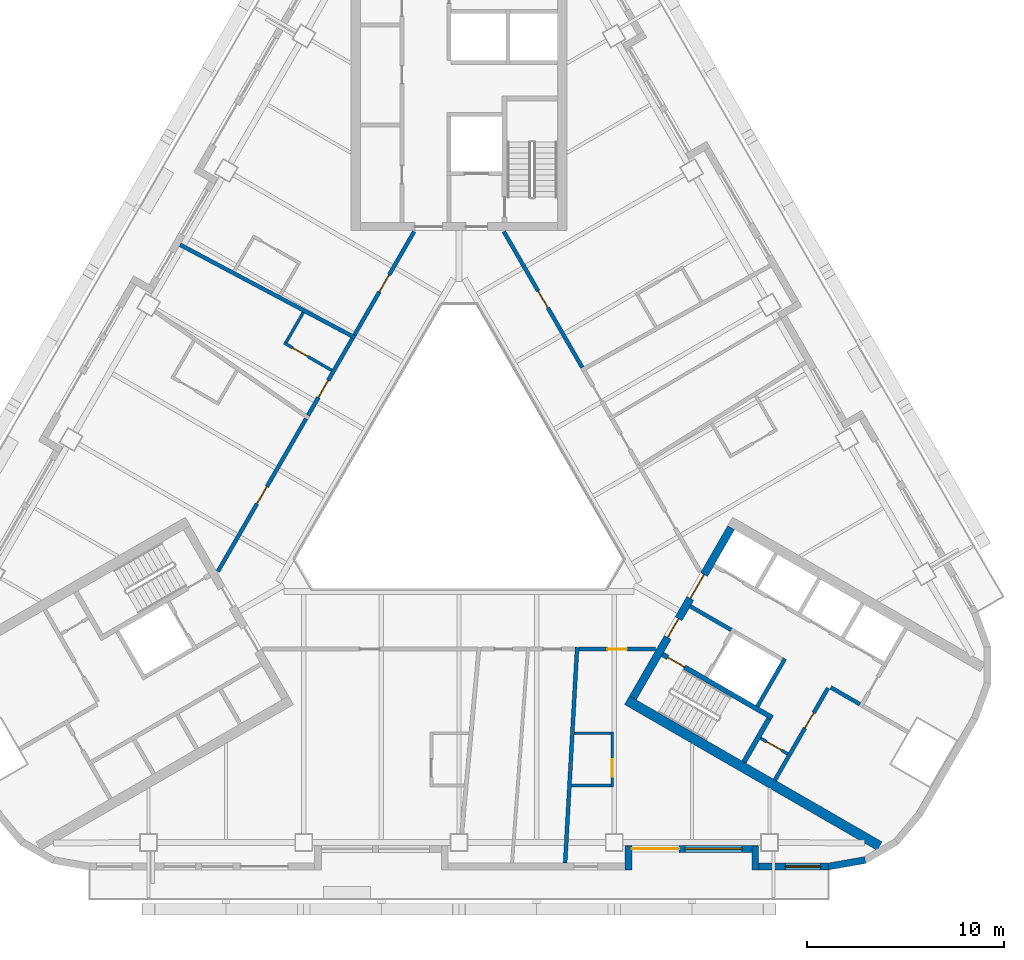
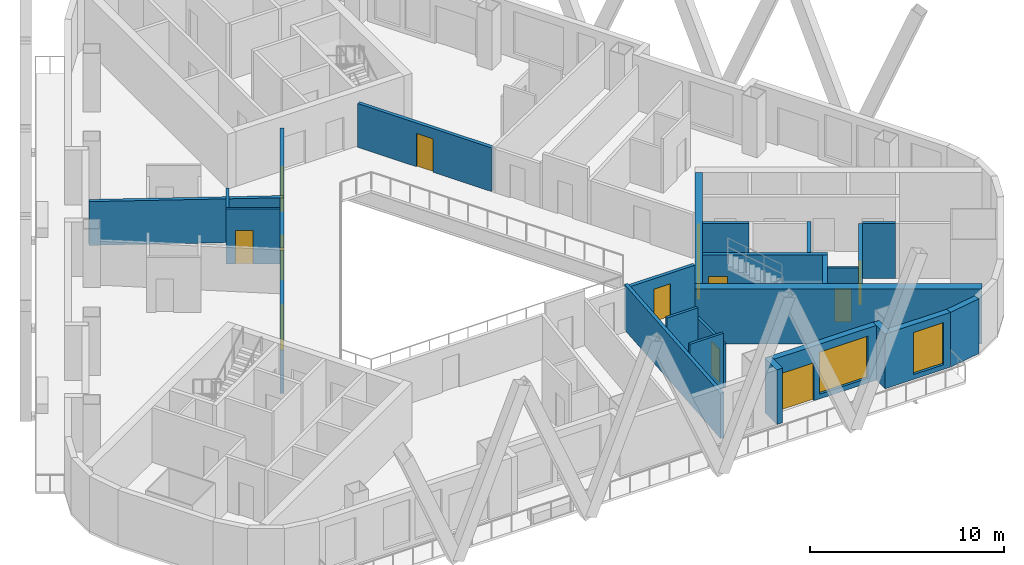
# One storey, part 4 of 13: 26 walls, 13 doors, 2 windows, 15 openings.
"""IFC4 building model written with IfcOpenShell, lengths in metres."""

from ifc_helpers import new_model, si_unit, direction, frame, frame_2d, origin, place, context, subcontext, project, spatial, rectangle, extrude, material, layer, layer_set, type_object, element, fill, save


model = new_model("IFC4")

# Units and contexts
model_context = context("Model", 3, precision=1e-05, world=origin(), true_north=direction((0.0, 1.0)))
body_context = subcontext(model_context, "Body", "Model", "MODEL_VIEW")
ifc_project = project(units=[si_unit("LENGTHUNIT", "METRE"), si_unit("AREAUNIT", "SQUARE_METRE"), si_unit("VOLUMEUNIT", "CUBIC_METRE"), si_unit("PLANEANGLEUNIT", "RADIAN"), si_unit("MASSUNIT", "GRAM", prefix="KILO")], contexts=[model_context])

# Site, building, storey
site_placement = place(None, origin())
site = spatial("IfcSite", under=ifc_project, at=site_placement, CompositionType="ELEMENT")
building_placement = place(site_placement, origin())
building = spatial("IfcBuilding", under=site, at=building_placement, Name="Apuvela Tower Hotel", CompositionType="ELEMENT")
storey_placement = place(building_placement, frame((0.0, 0.0, 127.89990234375)))
storey = spatial("IfcBuildingStorey", under=building, at=storey_placement, Name="L30", CompositionType="ELEMENT", Elevation=127.89990234375)

# Wall, openings, doors
ifc_material_1 = material(Name="Concrete C50/60", Category="concrete")
ifc_layer_1 = layer(ifc_material_1, 0.39990234375)
ifc_layer_set_1 = layer_set([ifc_layer_1], Name="COR-WALL-CORE-400")
wall_type_1 = type_object("IfcWallType", Name="COR-WALL-CORE-400", PredefinedType="SHEAR", material=ifc_layer_set_1)
wall_1_placement = place(storey_placement, frame((8.844970703125, -10.880126953125, 0.0), z_axis=(0.0, 0.0, 1.0), x_axis=(0.500004234368, 0.866022959057, 0.0)))
wall_1 = element("IfcWall", 1, at=wall_1_placement, inside=storey, type_object=wall_type_1, Name="Core wall SE", PredefinedType="SHEAR", context=body_context, shape_type="SweptSolid", body=[
    extrude(rectangle(XDim=10.0, YDim=0.39990234375, at=frame_2d((5.0, 0.0))), origin(), (0.0, 0.0, 1.0), 3.4501953125),
])
opening_1_placement = place(wall_1_placement, frame((3.550048828125, 0.0, 0.0)))
opening_1 = element("IfcOpeningElement", 2, at=opening_1_placement, cuts=wall_1, Name="Opening E-FD", PredefinedType="OPENING", context=body_context, shape_type="SweptSolid", body=[
    extrude(rectangle(XDim=1.10009765625, YDim=2.10009765625, at=frame_2d((0.550048828125, 1.050048828125))), frame((0.0, 0.2099609375, 0.0), z_axis=(0.0, -1.0, 0.0), x_axis=(1.0, 0.0, 0.0)), (0.0, 0.0, 1.0), 0.419921875),
])
opening_2_placement = place(wall_1_placement, frame((5.85009765625, 0.0, 0.0)))
opening_2 = element("IfcOpeningElement", 3, at=opening_2_placement, cuts=wall_1, Name="Opening E-GD", PredefinedType="OPENING", context=body_context, shape_type="SweptSolid", body=[
    extrude(rectangle(XDim=1.39990234375, YDim=2.10009765625, at=frame_2d((0.699951171875, 1.050048828125))), frame((0.0, 0.2099609375, 0.0), z_axis=(0.0, -1.0, 0.0), x_axis=(1.0, 0.0, 0.0)), (0.0, 0.0, 1.0), 0.419921875),
])
ifc_material_2 = material(Name="Steel fire door, powder coated", Category="steel")
door_type_1 = type_object("IfcDoorType", Name="COR-FD-1100", OperationType="NOTDEFINED", PredefinedType="DOOR", material=ifc_material_2)
door_1_placement = place(opening_1_placement, frame((1.10009765625, 0.0, 0.0), z_axis=(0.0, 0.0, 1.0), x_axis=(-1.0, 0.0, 0.0)))
door_1 = element("IfcDoor", 4, at=door_1_placement, inside=storey, type_object=door_type_1, Name="Firefighting lobby door E-FD", OperationType="SINGLE_SWING_LEFT", OverallHeight=2.10009765625, OverallWidth=1.10009765625, PredefinedType="DOOR", context=body_context, shape_type="SweptSolid", body=[
    extrude(rectangle(XDim=1.10009765625, YDim=2.10009765625, at=frame_2d((0.550048828125, 1.050048828125))), frame((0.0, 0.02490234375, 0.0), z_axis=(0.0, -1.0, 0.0), x_axis=(1.0, 0.0, 0.0)), (0.0, 0.0, 1.0), 0.050048828125),
])
fill(opening_1, door_1)
ifc_material_3 = material(Name="Glazed steel fire door", Category="steel")
door_type_2 = type_object("IfcDoorType", Name="COR-GD-1400", OperationType="DOUBLE_DOOR_SINGLE_SWING", PredefinedType="DOOR", material=ifc_material_3)
door_2_placement = place(opening_2_placement, frame((1.39990234375, 0.0, 0.0), z_axis=(0.0, 0.0, 1.0), x_axis=(-1.0, 0.0, 0.0)))
door_2 = element("IfcDoor", 5, at=door_2_placement, inside=storey, type_object=door_type_2, Name="Lift lobby door E-GD", OperationType="DOUBLE_DOOR_SINGLE_SWING", OverallHeight=2.10009765625, OverallWidth=1.39990234375, PredefinedType="DOOR", context=body_context, shape_type="SweptSolid", body=[
    extrude(rectangle(XDim=1.39990234375, YDim=2.10009765625, at=frame_2d((0.699951171875, 1.050048828125))), frame((0.0, 0.02490234375, 0.0), z_axis=(0.0, -1.0, 0.0), x_axis=(1.0, 0.0, 0.0)), (0.0, 0.0, 1.0), 0.050048828125),
])
fill(opening_2, door_2)

# Wall
ifc_layer_2 = layer(ifc_material_1, 0.5)
ifc_layer_set_2 = layer_set([ifc_layer_2], Name="COR-WALL-CORE-500")
wall_type_2 = type_object("IfcWallType", Name="COR-WALL-CORE-500", PredefinedType="SHEAR", material=ifc_layer_set_2)
wall_2_placement = place(storey_placement, frame((8.546630859375, -10.99658203125, 0.0), z_axis=(0.0, 0.0, 1.0), x_axis=(0.866025009528, -0.500000682871, 0.0)))
element("IfcWall", 6, at=wall_2_placement, inside=storey, type_object=wall_type_2, Name="Core wall SE", PredefinedType="SHEAR", context=body_context, shape_type="SweptSolid", body=[
    extrude(rectangle(XDim=14.8369140625, YDim=0.5, at=frame_2d((7.41845703125, 0.0))), origin(), (0.0, 0.0, 1.0), 3.4501953125),
])

# Wall, opening, door
ifc_material_4 = material(Name="Blockwork 150 mm plastered", Category="masonry")
ifc_layer_3 = layer(ifc_material_4, 0.14990234375)
ifc_layer_set_3 = layer_set([ifc_layer_3], Name="COR-WALL-PART-150")
wall_type_3 = type_object("IfcWallType", Name="COR-WALL-PART-150", PredefinedType="PARTITIONING", material=ifc_layer_set_3)
wall_3_placement = place(storey_placement, frame((15.341552734375, -12.927734375, 0.0), z_axis=(0.0, 0.0, 1.0), x_axis=(0.865989903783, -0.500061482766, 0.0)))
wall_3 = element("IfcWall", 7, at=wall_3_placement, inside=storey, type_object=wall_type_3, Name="Partition SE", PredefinedType="PARTITIONING", context=body_context, shape_type="SweptSolid", body=[
    extrude(rectangle(XDim=1.599853515625, YDim=0.14990234375, at=frame_2d((0.7998046875, 0.0))), origin(), (0.0, 0.0, 1.0), 3.4501953125),
])
opening_3_placement = place(wall_3_placement, frame((0.35009765625, 0.0, 0.0)))
opening_3 = element("IfcOpeningElement", 8, at=opening_3_placement, cuts=wall_3, Name="Opening E-RD", PredefinedType="OPENING", context=body_context, shape_type="SweptSolid", body=[
    extrude(rectangle(XDim=0.89990234375, YDim=2.10009765625, at=frame_2d((0.449951171875, 1.050048828125))), frame((0.0, 0.0849609375, 0.0), z_axis=(0.0, -1.0, 0.0), x_axis=(1.0, 0.0, 0.0)), (0.0, 0.0, 1.0), 0.169921875),
])
ifc_material_5 = material(Name="Steel access door, powder coated", Category="steel")
door_type_3 = type_object("IfcDoorType", Name="COR-RD-900", OperationType="NOTDEFINED", PredefinedType="DOOR", material=ifc_material_5)
door_3_placement = place(opening_3_placement, frame((0.89990234375, 0.0, 0.0), z_axis=(0.0, 0.0, 1.0), x_axis=(-1.0, 0.0, 0.0)))
door_3 = element("IfcDoor", 9, at=door_3_placement, inside=storey, type_object=door_type_3, Name="Riser door E-RD", OperationType="SINGLE_SWING_LEFT", OverallHeight=2.10009765625, OverallWidth=0.89990234375, PredefinedType="DOOR", context=body_context, shape_type="SweptSolid", body=[
    extrude(rectangle(XDim=0.89990234375, YDim=2.10009765625, at=frame_2d((0.449951171875, 1.050048828125))), frame((0.0, 0.02490234375, 0.0), z_axis=(0.0, -1.0, 0.0), x_axis=(1.0, 0.0, 0.0)), (0.0, 0.0, 1.0), 0.050048828125),
])
fill(opening_3, door_3)

ifc_material_6 = material(Name="Blockwork 200 mm plastered", Category="masonry")
ifc_layer_4 = layer(ifc_material_6, 0.199951171875)
ifc_layer_set_4 = layer_set([ifc_layer_4], Name="COR-WALL-PART-200")
wall_type_4 = type_object("IfcWallType", Name="COR-WALL-PART-200", PredefinedType="PARTITIONING", material=ifc_layer_set_4)
wall_4_placement = place(storey_placement, frame((16.076171875, -15.05517578125, 0.0), z_axis=(0.0, 0.0, 1.0), x_axis=(0.499995103361, 0.866028230842, 0.0)))
wall_4 = element("IfcWall", 10, at=wall_4_placement, inside=storey, type_object=wall_type_4, Name="Partition SE", PredefinedType="PARTITIONING", context=body_context, shape_type="SweptSolid", body=[
    extrude(rectangle(XDim=5.39990234375, YDim=0.199951171875, at=frame_2d((2.699951171875, 0.0))), origin(), (0.0, 0.0, 1.0), 3.4501953125),
])
opening_4_placement = place(wall_4_placement, frame((3.050048828125, 0.0, 0.0)))
opening_4 = element("IfcOpeningElement", 11, at=opening_4_placement, cuts=wall_4, Name="Opening E-RS1", PredefinedType="OPENING", context=body_context, shape_type="SweptSolid", body=[
    extrude(rectangle(XDim=0.89990234375, YDim=2.10009765625, at=frame_2d((0.449951171875, 1.050048828125))), frame((0.0, 0.10986328125, 0.0), z_axis=(0.0, -1.0, 0.0), x_axis=(1.0, 0.0, 0.0)), (0.0, 0.0, 1.0), 0.219970703125),
])
door_type_4 = type_object("IfcDoorType", Name="COR-DR-900", OperationType="NOTDEFINED", PredefinedType="DOOR", material=ifc_material_2)
door_4_placement = place(opening_4_placement, frame((0.89990234375, 0.0, 0.0), z_axis=(0.0, 0.0, 1.0), x_axis=(-1.0, 0.0, 0.0)))
door_4 = element("IfcDoor", 12, at=door_4_placement, inside=storey, type_object=door_type_4, Name="Store door E-RS1", OperationType="SINGLE_SWING_LEFT", OverallHeight=2.10009765625, OverallWidth=0.89990234375, PredefinedType="DOOR", context=body_context, shape_type="SweptSolid", body=[
    extrude(rectangle(XDim=0.89990234375, YDim=2.10009765625, at=frame_2d((0.449951171875, 1.050048828125))), frame((0.0, 0.02490234375, 0.0), z_axis=(0.0, -1.0, 0.0), x_axis=(1.0, 0.0, 0.0)), (0.0, 0.0, 1.0), 0.050048828125),
])
fill(opening_4, door_4)

# Walls
ifc_layer_5 = layer(ifc_material_1, 0.199951171875)
ifc_layer_set_5 = layer_set([ifc_layer_5], Name="COR-WALL-SHAFT-200")
wall_type_5 = type_object("IfcWallType", Name="COR-WALL-SHAFT-200", PredefinedType="SHEAR", material=ifc_layer_set_5)
wall_5_placement = place(storey_placement, frame((15.181396484375, -11.305419921875, 0.0), z_axis=(0.0, 0.0, 1.0), x_axis=(0.49994636267, 0.866056369097, 0.0)))
element("IfcWall", 13, at=wall_5_placement, inside=storey, type_object=wall_type_5, Name="Shaft wall SE", PredefinedType="SHEAR", context=body_context, shape_type="SweptSolid", body=[
    extrude(rectangle(XDim=2.800048828125, YDim=0.199951171875, at=frame_2d((1.39990234375, 0.0))), origin(), (0.0, 0.0, 1.0), 3.4501953125),
])
wall_6_placement = place(storey_placement, frame((11.76806640625, -6.217041015625, 0.0), z_axis=(0.0, 0.0, 1.0), x_axis=(0.866050077142, -0.499957262057, 0.0)))
element("IfcWall", 14, at=wall_6_placement, inside=storey, type_object=wall_type_5, Name="Shaft wall SE", PredefinedType="SHEAR", context=body_context, shape_type="SweptSolid", body=[
    extrude(rectangle(XDim=2.400146484375, YDim=0.199951171875, at=frame_2d((1.2001953125, 0.0))), origin(), (0.0, 0.0, 1.0), 3.4501953125),
])
wall_7_placement = place(storey_placement, frame((18.912841796875, -10.342041015625, 0.0), z_axis=(0.0, 0.0, 1.0), x_axis=(0.866038183914, -0.499977863513, 0.0)))
element("IfcWall", 15, at=wall_7_placement, inside=storey, type_object=wall_type_5, Name="Shaft wall SE", PredefinedType="SHEAR", context=body_context, shape_type="SweptSolid", body=[
    extrude(rectangle(XDim=1.7099609375, YDim=0.199951171875, at=frame_2d((0.85498046875, 0.0))), origin(), (0.0, 0.0, 1.0), 3.4501953125),
])

# Wall, opening, door
ifc_layer_6 = layer(ifc_material_1, 0.25)
ifc_layer_set_6 = layer_set([ifc_layer_6], Name="COR-WALL-STAIR-250")
wall_type_6 = type_object("IfcWallType", Name="COR-WALL-STAIR-250", PredefinedType="SHEAR", material=ifc_layer_set_6)
wall_8_placement = place(storey_placement, frame((10.355712890625, -8.66357421875, 0.0), z_axis=(0.0, 0.0, 1.0), x_axis=(0.866028629588, -0.499994412703, 0.0)))
wall_8 = element("IfcWall", 16, at=wall_8_placement, inside=storey, type_object=wall_type_6, Name="Stair wall SE", PredefinedType="SHEAR", context=body_context, shape_type="SweptSolid", body=[
    extrude(rectangle(XDim=6.44970703125, YDim=0.25, at=frame_2d((3.224853515625, 0.0))), origin(), (0.0, 0.0, 1.0), 3.4501953125),
])
opening_5_placement = place(wall_8_placement, frame((0.300048828125, 0.0, 0.0)))
opening_5 = element("IfcOpeningElement", 17, at=opening_5_placement, cuts=wall_8, Name="Opening E-SD", PredefinedType="OPENING", context=body_context, shape_type="SweptSolid", body=[
    extrude(rectangle(XDim=1.0, YDim=2.10009765625, at=frame_2d((0.5, 1.050048828125))), frame((0.0, 0.135009765625, 0.0), z_axis=(0.0, -1.0, 0.0), x_axis=(1.0, 0.0, 0.0)), (0.0, 0.0, 1.0), 0.27001953125),
])
door_type_5 = type_object("IfcDoorType", Name="COR-SD-1000", OperationType="NOTDEFINED", PredefinedType="DOOR", material=ifc_material_2)
door_5_placement = place(opening_5_placement, frame((1.0, 0.0, 0.0), z_axis=(0.0, 0.0, 1.0), x_axis=(-1.0, 0.0, 0.0)))
door_5 = element("IfcDoor", 18, at=door_5_placement, inside=storey, type_object=door_type_5, Name="Stair door E-SD", OperationType="SINGLE_SWING_LEFT", OverallHeight=2.10009765625, OverallWidth=1.0, PredefinedType="DOOR", context=body_context, shape_type="SweptSolid", body=[
    extrude(rectangle(XDim=1.0, YDim=2.10009765625, at=frame_2d((0.5, 1.050048828125))), frame((0.0, 0.02490234375, 0.0), z_axis=(0.0, -1.0, 0.0), x_axis=(1.0, 0.0, 0.0)), (0.0, 0.0, 1.0), 0.050048828125),
])
fill(opening_5, door_5)

# Walls
wall_9_placement = place(storey_placement, frame((14.49560546875, -14.142578125, 0.0), z_axis=(0.0, 0.0, 1.0), x_axis=(0.500062241894, 0.865989465428, 0.0)))
element("IfcWall", 19, at=wall_9_placement, inside=storey, type_object=wall_type_6, Name="Stair wall SE", PredefinedType="SHEAR", context=body_context, shape_type="SweptSolid", body=[
    extrude(rectangle(XDim=2.550048828125, YDim=0.25, at=frame_2d((1.27490234375, 0.0))), origin(), (0.0, 0.0, 1.0), 3.4501953125),
])
ifc_material_7 = material(Name="Concrete C40/50, dark pigmented precast panel", Category="concrete")
ifc_layer_7 = layer(ifc_material_7, 0.35009765625)
ifc_layer_set_7 = layer_set([ifc_layer_7], Name="ENV-WALL-350")
wall_type_7 = type_object("IfcWallType", Name="ENV-WALL-350", PredefinedType="SOLIDWALL", material=ifc_layer_set_7)
wall_10_placement = place(storey_placement, frame((8.625, -19.6298828125, 0.0), z_axis=(0.0, 0.0, 1.0), x_axis=(0.0, 1.0, 0.0)))
element("IfcWall", 20, at=wall_10_placement, inside=storey, type_object=wall_type_7, Name="External wall L30-22", PredefinedType="SOLIDWALL", context=body_context, shape_type="SweptSolid", body=[
    extrude(rectangle(XDim=1.219970703125, YDim=0.35009765625, at=frame_2d((0.60986328125, 0.0))), origin(), (0.0, 0.0, 1.0), 3.4501953125),
])

# Wall, openings, door, window
wall_11_placement = place(storey_placement, frame((8.47998046875, -18.554931640625, 0.0), z_axis=(0.0, 0.0, 1.0), x_axis=(1.0, 0.0, 0.0)))
wall_11 = element("IfcWall", 21, at=wall_11_placement, inside=storey, type_object=wall_type_7, Name="External wall L30-23", PredefinedType="SOLIDWALL", context=body_context, shape_type="SweptSolid", body=[
    extrude(rectangle(XDim=6.739990234375, YDim=0.35009765625, at=frame_2d((3.3701171875, 0.0))), origin(), (0.0, 0.0, 1.0), 3.4501953125),
])
opening_6_placement = place(wall_11_placement, frame((0.3203125, 0.0, 0.0)))
opening_6 = element("IfcOpeningElement", 22, at=opening_6_placement, cuts=wall_11, Name="Opening BD24", PredefinedType="OPENING", context=body_context, shape_type="SweptSolid", body=[
    extrude(rectangle(XDim=2.39990234375, YDim=2.39990234375, at=frame_2d((1.199951171875, 1.199951171875))), frame((0.0, 0.18505859375, 0.0), z_axis=(0.0, -1.0, 0.0), x_axis=(1.0, 0.0, 0.0)), (0.0, 0.0, 1.0), 0.3701171875),
])
opening_7_placement = place(wall_11_placement, frame((3.020263671875, 0.0, 0.300048828125)))
opening_7 = element("IfcOpeningElement", 23, at=opening_7_placement, cuts=wall_11, Name="Opening WN29", PredefinedType="OPENING", context=body_context, shape_type="SweptSolid", body=[
    extrude(rectangle(XDim=2.89990234375, YDim=2.64990234375, at=frame_2d((1.449951171875, 1.324951171875))), frame((0.0, 0.18505859375, 0.0), z_axis=(0.0, -1.0, 0.0), x_axis=(1.0, 0.0, 0.0)), (0.0, 0.0, 1.0), 0.3701171875),
])
ifc_material_8 = material(Name="Aluminium 6063-T6, dark bronze anodised frame with dark tinted laminated glass", Category="aluminium")
door_type_6 = type_object("IfcDoorType", Name="ENV-DOOR-BALCONY-2400x2400", OperationType="SLIDING_TO_LEFT", PredefinedType="DOOR", material=ifc_material_8)
door_6_placement = place(opening_6_placement, frame((2.39990234375, 0.0, 0.0), z_axis=(0.0, 0.0, 1.0), x_axis=(-1.0, 0.0, 0.0)))
door_6 = element("IfcDoor", 24, at=door_6_placement, inside=storey, type_object=door_type_6, Name="Balcony door BD24", OperationType="SLIDING_TO_LEFT", OverallHeight=2.39990234375, OverallWidth=2.39990234375, PredefinedType="DOOR", context=body_context, shape_type="SweptSolid", body=[
    extrude(rectangle(XDim=2.39990234375, YDim=2.39990234375, at=frame_2d((1.199951171875, 1.199951171875))), frame((0.0, 0.02490234375, 0.0), z_axis=(0.0, -1.0, 0.0), x_axis=(1.0, 0.0, 0.0)), (0.0, 0.0, 1.0), 0.050048828125),
])
fill(opening_6, door_6)
ifc_material_9 = material(Name="Glass, dark tinted laminated insulated glazing unit", Category="glass")
window_type_1 = type_object("IfcWindowType", Name="ENV-WIN-2900x2650", PartitioningType="SINGLE_PANEL", PredefinedType="WINDOW", material=ifc_material_9)
window_1_placement = place(opening_7_placement, origin())
window_1 = element("IfcWindow", 25, at=window_1_placement, inside=storey, type_object=window_type_1, Name="Window WN29", OverallHeight=2.64990234375, OverallWidth=2.89990234375, PartitioningType="SINGLE_PANEL", PredefinedType="WINDOW", context=body_context, shape_type="SweptSolid", body=[
    extrude(rectangle(XDim=2.89990234375, YDim=2.64990234375, at=frame_2d((1.449951171875, 1.324951171875))), frame((0.0, 0.030029296875, 0.0), z_axis=(0.0, -1.0, 0.0), x_axis=(1.0, 0.0, 0.0)), (0.0, 0.0, 1.0), 0.06005859375),
])
fill(opening_7, window_1)

# Wall
wall_12_placement = place(storey_placement, frame((15.074951171875, -18.409912109375, 0.0), z_axis=(0.0, 0.0, 1.0), x_axis=(0.0, -1.0, 0.0)))
element("IfcWall", 26, at=wall_12_placement, inside=storey, type_object=wall_type_7, Name="External wall L30-24", PredefinedType="SOLIDWALL", context=body_context, shape_type="SweptSolid", body=[
    extrude(rectangle(XDim=1.219970703125, YDim=0.35009765625, at=frame_2d((0.60986328125, 0.0))), origin(), (0.0, 0.0, 1.0), 3.4501953125),
])

# Wall, opening, window
wall_13_placement = place(storey_placement, frame((14.89990234375, -19.455078125, 0.0), z_axis=(0.0, 0.0, 1.0), x_axis=(1.0, 0.0, 0.0)))
wall_13 = element("IfcWall", 27, at=wall_13_placement, inside=storey, type_object=wall_type_7, Name="External wall L30-25", PredefinedType="SOLIDWALL", context=body_context, shape_type="SweptSolid", body=[
    extrude(rectangle(XDim=3.916015625, YDim=0.35009765625, at=frame_2d((1.9580078125, 0.0))), origin(), (0.0, 0.0, 1.0), 3.4501953125),
])
opening_8_placement = place(wall_13_placement, frame((1.699951171875, 0.0, 0.300048828125)))
opening_8 = element("IfcOpeningElement", 28, at=opening_8_placement, cuts=wall_13, Name="Opening WN18", PredefinedType="OPENING", context=body_context, shape_type="SweptSolid", body=[
    extrude(rectangle(XDim=1.800048828125, YDim=2.64990234375, at=frame_2d((0.89990234375, 1.324951171875))), frame((0.0, 0.18505859375, 0.0), z_axis=(0.0, -1.0, 0.0), x_axis=(1.0, 0.0, 0.0)), (0.0, 0.0, 1.0), 0.3701171875),
])
window_type_2 = type_object("IfcWindowType", Name="ENV-WIN-1800x2650", PartitioningType="SINGLE_PANEL", PredefinedType="WINDOW", material=ifc_material_9)
window_2_placement = place(opening_8_placement, origin())
window_2 = element("IfcWindow", 29, at=window_2_placement, inside=storey, type_object=window_type_2, Name="Window WN18", OverallHeight=2.64990234375, OverallWidth=1.800048828125, PartitioningType="SINGLE_PANEL", PredefinedType="WINDOW", context=body_context, shape_type="SweptSolid", body=[
    extrude(rectangle(XDim=1.800048828125, YDim=2.64990234375, at=frame_2d((0.89990234375, 1.324951171875))), frame((0.0, 0.030029296875, 0.0), z_axis=(0.0, -1.0, 0.0), x_axis=(1.0, 0.0, 0.0)), (0.0, 0.0, 1.0), 0.06005859375),
])
fill(opening_8, window_2)

# Walls
wall_14_placement = place(storey_placement, frame((18.785400390625, -19.457763671875, 0.0), z_axis=(0.0, 0.0, 1.0), x_axis=(0.984798995425, 0.173697837091, 0.0)))
element("IfcWall", 30, at=wall_14_placement, inside=storey, type_object=wall_type_7, Name="External wall L30-26", PredefinedType="SOLIDWALL", context=body_context, shape_type="SweptSolid", body=[
    extrude(rectangle(XDim=1.91015625, YDim=0.35009765625, at=frame_2d((0.955078125, 0.0))), origin(), (0.0, 0.0, 1.0), 3.4501953125),
])
ifc_material_10 = material(Name="Gypsum board partition on twin steel stud", Category="steel")
ifc_layer_8 = layer(ifc_material_10, 0.199951171875)
ifc_layer_set_8 = layer_set([ifc_layer_8], Name="GST-PW1")
wall_type_8 = type_object("IfcWallType", Name="GST-PW1", PredefinedType="PARTITIONING", material=ifc_layer_set_8)
wall_15_placement = place(storey_placement, frame((5.39990234375, -19.280029296875, 0.0), z_axis=(0.0, 0.0, 1.0), x_axis=(0.055568385591, 0.998454883569, 0.0)))
element("IfcWall", 31, at=wall_15_placement, inside=storey, type_object=wall_type_8, Name="L30 partition 02", PredefinedType="PARTITIONING", context=body_context, shape_type="SweptSolid", body=[
    extrude(rectangle(XDim=10.9970703125, YDim=0.199951171875, at=frame_2d((5.49853515625, 0.0))), origin(), (0.0, 0.0, 1.0), 2.860107421875),
])
wall_16_placement = place(storey_placement, frame((-14.191650390625, 12.17919921875, 0.0), z_axis=(0.0, 0.0, 1.0), x_axis=(0.883106944183, -0.469171743753, 0.0)))
element("IfcWall", 32, at=wall_16_placement, inside=storey, type_object=wall_type_8, Name="L30 partition 05", PredefinedType="PARTITIONING", context=body_context, shape_type="SweptSolid", body=[
    extrude(rectangle(XDim=10.086181640625, YDim=0.199951171875, at=frame_2d((5.04296875, 0.0))), origin(), (0.0, 0.0, 1.0), 2.760009765625),
])

# Wall, opening, door
ifc_material_11 = material(Name="Gypsum board corridor wall on twin steel stud, acoustic", Category="steel")
ifc_layer_9 = layer(ifc_material_11, 0.199951171875)
ifc_layer_set_9 = layer_set([ifc_layer_9], Name="GST-PW2")
wall_type_9 = type_object("IfcWallType", Name="GST-PW2", PredefinedType="PARTITIONING", material=ifc_layer_set_9)
wall_17_placement = place(storey_placement, frame((9.98828125, -8.39990234375, 0.0), z_axis=(0.0, 0.0, 1.0), x_axis=(-1.0, 0.0, 0.0)))
wall_17 = element("IfcWall", 33, at=wall_17_placement, inside=storey, type_object=wall_type_9, Name="L30 partition 14", PredefinedType="PARTITIONING", context=body_context, shape_type="SweptSolid", body=[
    extrude(rectangle(XDim=3.882568359375, YDim=0.199951171875, at=frame_2d((1.94140625, 0.0))), origin(), (0.0, 0.0, 1.0), 2.760009765625),
])
opening_9_placement = place(wall_17_placement, frame((1.44140625, 0.0, 0.0)))
opening_9 = element("IfcOpeningElement", 34, at=opening_9_placement, cuts=wall_17, Name="Opening GD11-06", PredefinedType="OPENING", context=body_context, shape_type="SweptSolid", body=[
    extrude(rectangle(XDim=1.0, YDim=2.10009765625, at=frame_2d((0.5, 1.050048828125))), frame((0.0, 0.10986328125, 0.0), z_axis=(0.0, -1.0, 0.0), x_axis=(1.0, 0.0, 0.0)), (0.0, 0.0, 1.0), 0.219970703125),
])
ifc_material_12 = material(Name="Timber door leaf in steel frame", Category="steel")
door_type_7 = type_object("IfcDoorType", Name="GST-D1", OperationType="NOTDEFINED", PredefinedType="DOOR", material=ifc_material_12)
door_7_placement = place(opening_9_placement, origin())
door_7 = element("IfcDoor", 35, at=door_7_placement, inside=storey, type_object=door_type_7, Name="Door L30-06", OperationType="SINGLE_SWING_RIGHT", OverallHeight=2.10009765625, OverallWidth=1.0, PredefinedType="DOOR", context=body_context, shape_type="SweptSolid", body=[
    extrude(rectangle(XDim=1.0, YDim=2.10009765625, at=frame_2d((0.5, 1.050048828125))), frame((0.0, 0.02490234375, 0.0), z_axis=(0.0, -1.0, 0.0), x_axis=(1.0, 0.0, 0.0)), (0.0, 0.0, 1.0), 0.050048828125),
])
fill(opening_9, door_7)

wall_18_placement = place(storey_placement, frame((2.280517578125, 12.85009765625, 0.0), z_axis=(0.0, 0.0, 1.0), x_axis=(0.499992362392, -0.866029813314, 0.0)))
wall_18 = element("IfcWall", 36, at=wall_18_placement, inside=storey, type_object=wall_type_9, Name="L30 partition 25", PredefinedType="PARTITIONING", context=body_context, shape_type="SweptSolid", body=[
    extrude(rectangle(XDim=7.986328125, YDim=0.199951171875, at=frame_2d((3.9931640625, 0.0))), origin(), (0.0, 0.0, 1.0), 2.760009765625),
])
opening_10_placement = place(wall_18_placement, frame((3.4931640625, 0.0, 0.0)))
opening_10 = element("IfcOpeningElement", 37, at=opening_10_placement, cuts=wall_18, Name="Opening GD11-12", PredefinedType="OPENING", context=body_context, shape_type="SweptSolid", body=[
    extrude(rectangle(XDim=1.0, YDim=2.10009765625, at=frame_2d((0.5, 1.050048828125))), frame((0.0, 0.10986328125, 0.0), z_axis=(0.0, -1.0, 0.0), x_axis=(1.0, 0.0, 0.0)), (0.0, 0.0, 1.0), 0.219970703125),
])
door_8_placement = place(opening_10_placement, origin())
door_8 = element("IfcDoor", 38, at=door_8_placement, inside=storey, type_object=door_type_7, Name="Door L30-12", OperationType="SINGLE_SWING_RIGHT", OverallHeight=2.10009765625, OverallWidth=1.0, PredefinedType="DOOR", context=body_context, shape_type="SweptSolid", body=[
    extrude(rectangle(XDim=1.0, YDim=2.10009765625, at=frame_2d((0.5, 1.050048828125))), frame((0.0, 0.02490234375, 0.0), z_axis=(0.0, -1.0, 0.0), x_axis=(1.0, 0.0, 0.0)), (0.0, 0.0, 1.0), 0.050048828125),
])
fill(opening_10, door_8)

wall_19_placement = place(storey_placement, frame((-5.32275390625, 7.58056640625, 0.0), z_axis=(0.0, 0.0, 1.0), x_axis=(0.49998410452, 0.866034580849, 0.0)))
wall_19 = element("IfcWall", 39, at=wall_19_placement, inside=storey, type_object=wall_type_9, Name="L30 partition 29", PredefinedType="PARTITIONING", context=body_context, shape_type="SweptSolid", body=[
    extrude(rectangle(XDim=6.084716796875, YDim=0.199951171875, at=frame_2d((3.04248046875, 0.0))), origin(), (0.0, 0.0, 1.0), 2.760009765625),
])
opening_11_placement = place(wall_19_placement, frame((2.542236328125, 0.0, 0.0)))
opening_11 = element("IfcOpeningElement", 40, at=opening_11_placement, cuts=wall_19, Name="Opening GD11-14", PredefinedType="OPENING", context=body_context, shape_type="SweptSolid", body=[
    extrude(rectangle(XDim=1.0, YDim=2.10009765625, at=frame_2d((0.5, 1.050048828125))), frame((0.0, 0.10986328125, 0.0), z_axis=(0.0, -1.0, 0.0), x_axis=(1.0, 0.0, 0.0)), (0.0, 0.0, 1.0), 0.219970703125),
])
door_9_placement = place(opening_11_placement, origin())
door_9 = element("IfcDoor", 41, at=door_9_placement, inside=storey, type_object=door_type_7, Name="Door L30-14", OperationType="SINGLE_SWING_LEFT", OverallHeight=2.10009765625, OverallWidth=1.0, PredefinedType="DOOR", context=body_context, shape_type="SweptSolid", body=[
    extrude(rectangle(XDim=1.0, YDim=2.10009765625, at=frame_2d((0.5, 1.050048828125))), frame((0.0, 0.02490234375, 0.0), z_axis=(0.0, -1.0, 0.0), x_axis=(1.0, 0.0, 0.0)), (0.0, 0.0, 1.0), 0.050048828125),
])
fill(opening_11, door_9)

wall_20_placement = place(storey_placement, frame((-7.6787109375, 3.500244140625, 0.0), z_axis=(0.0, 0.0, 1.0), x_axis=(0.500026934738, 0.866009852448, 0.0)))
wall_20 = element("IfcWall", 42, at=wall_20_placement, inside=storey, type_object=wall_type_9, Name="L30 partition 33", PredefinedType="PARTITIONING", context=body_context, shape_type="SweptSolid", body=[
    extrude(rectangle(XDim=4.511474609375, YDim=0.199951171875, at=frame_2d((2.255859375, 0.0))), origin(), (0.0, 0.0, 1.0), 2.760009765625),
])
opening_12_placement = place(wall_20_placement, frame((1.057861328125, 0.0, 0.0)))
opening_12 = element("IfcOpeningElement", 43, at=opening_12_placement, cuts=wall_20, Name="Opening GD11-16", PredefinedType="OPENING", context=body_context, shape_type="SweptSolid", body=[
    extrude(rectangle(XDim=1.0, YDim=2.10009765625, at=frame_2d((0.5, 1.050048828125))), frame((0.0, 0.10986328125, 0.0), z_axis=(0.0, -1.0, 0.0), x_axis=(1.0, 0.0, 0.0)), (0.0, 0.0, 1.0), 0.219970703125),
])
door_10_placement = place(opening_12_placement, origin())
door_10 = element("IfcDoor", 44, at=door_10_placement, inside=storey, type_object=door_type_7, Name="Door L30-16", OperationType="SINGLE_SWING_LEFT", OverallHeight=2.10009765625, OverallWidth=1.0, PredefinedType="DOOR", context=body_context, shape_type="SweptSolid", body=[
    extrude(rectangle(XDim=1.0, YDim=2.10009765625, at=frame_2d((0.5, 1.050048828125))), frame((0.0, 0.02490234375, 0.0), z_axis=(0.0, -1.0, 0.0), x_axis=(1.0, 0.0, 0.0)), (0.0, 0.0, 1.0), 0.050048828125),
])
fill(opening_12, door_10)

wall_21_placement = place(storey_placement, frame((-12.268798828125, -4.449951171875, 0.0), z_axis=(0.0, 0.0, 1.0), x_axis=(0.500004878216, 0.866022587327, 0.0)))
wall_21 = element("IfcWall", 45, at=wall_21_placement, inside=storey, type_object=wall_type_9, Name="L30 partition 36", PredefinedType="PARTITIONING", context=body_context, shape_type="SweptSolid", body=[
    extrude(rectangle(XDim=8.9794921875, YDim=0.199951171875, at=frame_2d((4.48974609375, 0.0))), origin(), (0.0, 0.0, 1.0), 2.760009765625),
])
opening_13_placement = place(wall_21_placement, frame((3.98974609375, 0.0, 0.0)))
opening_13 = element("IfcOpeningElement", 46, at=opening_13_placement, cuts=wall_21, Name="Opening GD11-18", PredefinedType="OPENING", context=body_context, shape_type="SweptSolid", body=[
    extrude(rectangle(XDim=1.0, YDim=2.10009765625, at=frame_2d((0.5, 1.050048828125))), frame((0.0, 0.10986328125, 0.0), z_axis=(0.0, -1.0, 0.0), x_axis=(1.0, 0.0, 0.0)), (0.0, 0.0, 1.0), 0.219970703125),
])
door_11_placement = place(opening_13_placement, origin())
door_11 = element("IfcDoor", 47, at=door_11_placement, inside=storey, type_object=door_type_7, Name="Door L30-18", OperationType="SINGLE_SWING_RIGHT", OverallHeight=2.10009765625, OverallWidth=1.0, PredefinedType="DOOR", context=body_context, shape_type="SweptSolid", body=[
    extrude(rectangle(XDim=1.0, YDim=2.10009765625, at=frame_2d((0.5, 1.050048828125))), frame((0.0, 0.02490234375, 0.0), z_axis=(0.0, -1.0, 0.0), x_axis=(1.0, 0.0, 0.0)), (0.0, 0.0, 1.0), 0.050048828125),
])
fill(opening_13, door_11)

ifc_material_13 = material(Name="Moisture-resistant gypsum board wet wall on steel stud", Category="steel")
ifc_layer_10 = layer(ifc_material_13, 0.14990234375)
ifc_layer_set_10 = layer_set([ifc_layer_10], Name="GST-PW3")
wall_type_10 = type_object("IfcWallType", Name="GST-PW3", PredefinedType="PARTITIONING", material=ifc_layer_set_10)
wall_22_placement = place(storey_placement, frame((7.797119140625, -15.39990234375, 0.0), z_axis=(0.0, 0.0, 1.0), x_axis=(0.0, 1.0, 0.0)))
wall_22 = element("IfcWall", 48, at=wall_22_placement, inside=storey, type_object=wall_type_10, Name="L30 partition 15", PredefinedType="PARTITIONING", context=body_context, shape_type="SweptSolid", body=[
    extrude(rectangle(XDim=2.7998046875, YDim=0.14990234375, at=frame_2d((1.39990234375, 0.0))), origin(), (0.0, 0.0, 1.0), 2.760009765625),
])
opening_14_placement = place(wall_22_placement, frame((0.5, 0.0, 0.0)))
opening_14 = element("IfcOpeningElement", 49, at=opening_14_placement, cuts=wall_22, Name="Opening GD11-05", PredefinedType="OPENING", context=body_context, shape_type="SweptSolid", body=[
    extrude(rectangle(XDim=0.89990234375, YDim=2.10009765625, at=frame_2d((0.449951171875, 1.050048828125))), frame((0.0, 0.0849609375, 0.0), z_axis=(0.0, -1.0, 0.0), x_axis=(1.0, 0.0, 0.0)), (0.0, 0.0, 1.0), 0.169921875),
])
door_type_8 = type_object("IfcDoorType", Name="GST-D2", OperationType="NOTDEFINED", PredefinedType="DOOR", material=ifc_material_12)
door_12_placement = place(opening_14_placement, origin())
door_12 = element("IfcDoor", 50, at=door_12_placement, inside=storey, type_object=door_type_8, Name="Door L30-05", OperationType="SINGLE_SWING_LEFT", OverallHeight=2.10009765625, OverallWidth=0.89990234375, PredefinedType="DOOR", context=body_context, shape_type="SweptSolid", body=[
    extrude(rectangle(XDim=0.89990234375, YDim=2.10009765625, at=frame_2d((0.449951171875, 1.050048828125))), frame((0.0, 0.02490234375, 0.0), z_axis=(0.0, -1.0, 0.0), x_axis=(1.0, 0.0, 0.0)), (0.0, 0.0, 1.0), 0.050048828125),
])
fill(opening_14, door_12)

# Walls
wall_23_placement = place(storey_placement, frame((5.72021484375, -15.324951171875, 0.0), z_axis=(0.0, 0.0, 1.0), x_axis=(1.0, 0.0, 0.0)))
element("IfcWall", 51, at=wall_23_placement, inside=storey, type_object=wall_type_10, Name="L30 partition 16", PredefinedType="PARTITIONING", context=body_context, shape_type="SweptSolid", body=[
    extrude(rectangle(XDim=2.001708984375, YDim=0.14990234375, at=frame_2d((1.0009765625, 0.0))), origin(), (0.0, 0.0, 1.0), 3.4501953125),
])
wall_24_placement = place(storey_placement, frame((5.867919921875, -12.675048828125, 0.0), z_axis=(0.0, 0.0, 1.0), x_axis=(1.0, 0.0, 0.0)))
element("IfcWall", 52, at=wall_24_placement, inside=storey, type_object=wall_type_10, Name="L30 partition 17", PredefinedType="PARTITIONING", context=body_context, shape_type="SweptSolid", body=[
    extrude(rectangle(XDim=1.85400390625, YDim=0.14990234375, at=frame_2d((0.927001953125, 0.0))), origin(), (0.0, 0.0, 1.0), 3.4501953125),
])

# Wall, opening, door
wall_25_placement = place(storey_placement, frame((-8.898681640625, 7.18701171875, 0.0), z_axis=(0.0, 0.0, 1.0), x_axis=(0.866056369097, -0.49994636267, 0.0)))
wall_25 = element("IfcWall", 53, at=wall_25_placement, inside=storey, type_object=wall_type_10, Name="L30 partition 34", PredefinedType="PARTITIONING", context=body_context, shape_type="SweptSolid", body=[
    extrude(rectangle(XDim=2.800048828125, YDim=0.14990234375, at=frame_2d((1.39990234375, 0.0))), origin(), (0.0, 0.0, 1.0), 3.4501953125),
])
opening_15_placement = place(wall_25_placement, frame((0.5, 0.0, 0.0)))
opening_15 = element("IfcOpeningElement", 54, at=opening_15_placement, cuts=wall_25, Name="Opening GD11-15", PredefinedType="OPENING", context=body_context, shape_type="SweptSolid", body=[
    extrude(rectangle(XDim=0.89990234375, YDim=2.10009765625, at=frame_2d((0.449951171875, 1.050048828125))), frame((0.0, 0.0849609375, 0.0), z_axis=(0.0, -1.0, 0.0), x_axis=(1.0, 0.0, 0.0)), (0.0, 0.0, 1.0), 0.169921875),
])
door_13_placement = place(opening_15_placement, origin())
door_13 = element("IfcDoor", 55, at=door_13_placement, inside=storey, type_object=door_type_8, Name="Door L30-15", OperationType="SINGLE_SWING_LEFT", OverallHeight=2.10009765625, OverallWidth=0.89990234375, PredefinedType="DOOR", context=body_context, shape_type="SweptSolid", body=[
    extrude(rectangle(XDim=0.89990234375, YDim=2.10009765625, at=frame_2d((0.449951171875, 1.050048828125))), frame((0.0, 0.02490234375, 0.0), z_axis=(0.0, -1.0, 0.0), x_axis=(1.0, 0.0, 0.0)), (0.0, 0.0, 1.0), 0.050048828125),
])
fill(opening_15, door_13)

# Wall
wall_26_placement = place(storey_placement, frame((-7.919189453125, 8.733642578125, 0.0), z_axis=(0.0, 0.0, 1.0), x_axis=(-0.499971461383, -0.866041879935, 0.0)))
element("IfcWall", 56, at=wall_26_placement, inside=storey, type_object=wall_type_10, Name="L30 partition 35", PredefinedType="PARTITIONING", context=body_context, shape_type="SweptSolid", body=[
    extrude(rectangle(XDim=1.75390625, YDim=0.14990234375, at=frame_2d((0.876953125, 0.0))), origin(), (0.0, 0.0, 1.0), 3.4501953125),
])

save(model, "model.ifc")
